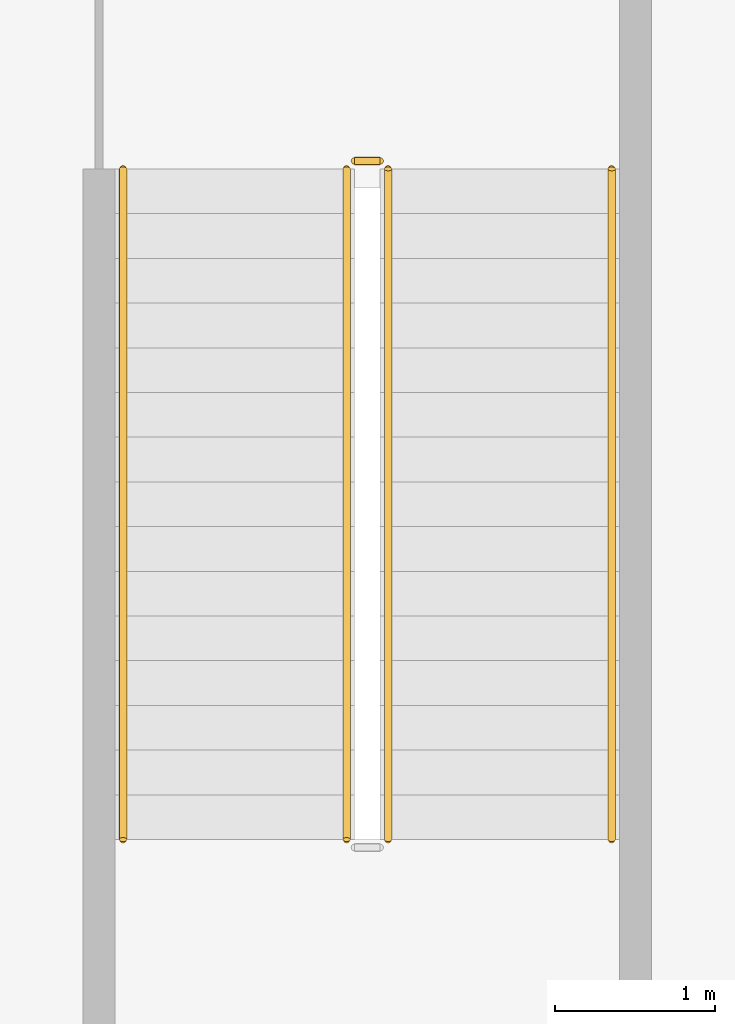
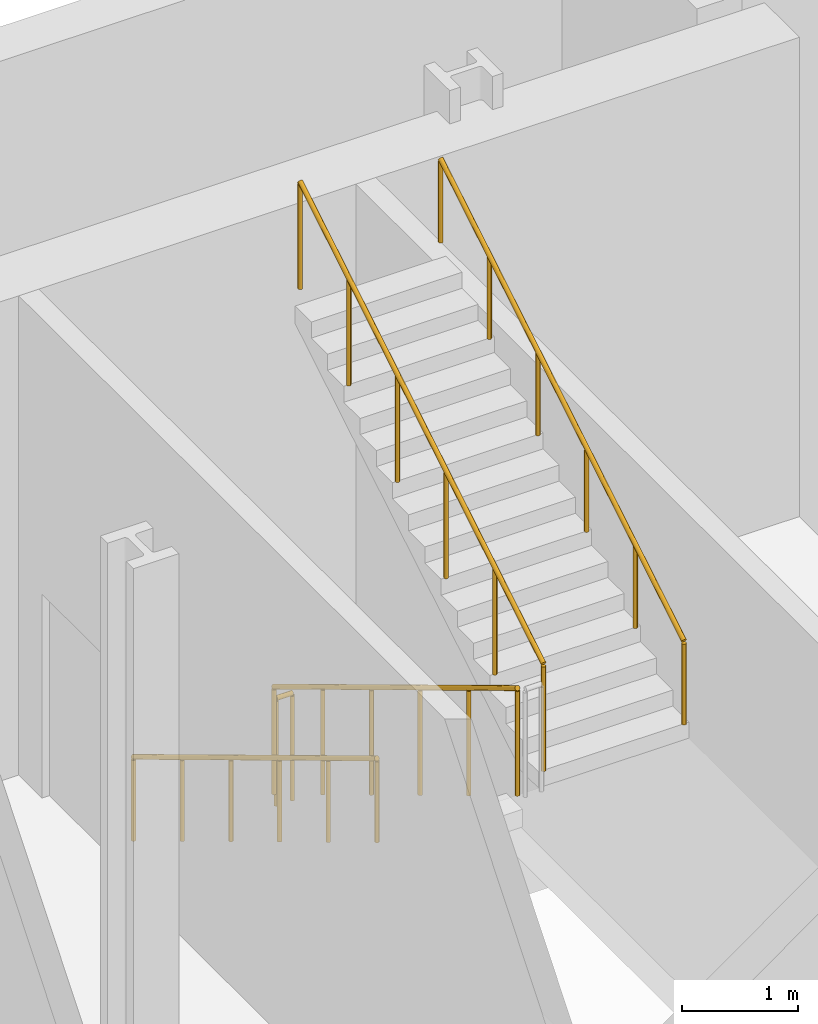
# One storey, part 9 of 9: 5 railings.
"""IFC4 building model written with IfcOpenShell, lengths in metres."""

from ifc_helpers import new_model, si_unit, direction, frame, origin, origin_2d, place, context, subcontext, project, spatial, circle, extrude, material, type_object, element, save


model = new_model("IFC4")

# Units and contexts
model_context = context("Model", 3, precision=1e-05, world=origin(), true_north=direction((0.0, 1.0)))
body_context = subcontext(model_context, "Body", "Model", "MODEL_VIEW")
ifc_project = project(units=[si_unit("LENGTHUNIT", "METRE"), si_unit("AREAUNIT", "SQUARE_METRE"), si_unit("VOLUMEUNIT", "CUBIC_METRE"), si_unit("PLANEANGLEUNIT", "RADIAN"), si_unit("MASSUNIT", "GRAM", prefix="KILO")], contexts=[model_context])

# Site, building, storey
site_placement = place(None, origin())
site = spatial("IfcSite", under=ifc_project, at=site_placement, CompositionType="ELEMENT")
building_placement = place(site_placement, origin())
building = spatial("IfcBuilding", under=site, at=building_placement, Name="Drelvath Grand Hotel", CompositionType="ELEMENT")
storey_placement = place(building_placement, frame((0.0, 0.0, -5.39990234375)))
storey = spatial("IfcBuildingStorey", under=building, at=storey_placement, Name="B1", CompositionType="ELEMENT", Elevation=-5.39990234375)

# Railings
ifc_material = material(Name="Painted Steel S275", Category="steel")
railing_type_1 = type_object("IfcRailingType", Name="Core Stair Wall Handrail 900", PredefinedType="HANDRAIL", material=ifc_material)
railing_1_placement = place(storey_placement, frame((28.469970703125, 51.85009765625, 0.168701171875)))
element("IfcRailing", 1, at=railing_1_placement, inside=storey, type_object=railing_type_1, Name="B1 ST-4 stair handrail 1", PredefinedType="HANDRAIL", context=body_context, shape_type="SweptSolid", body=[
    extrude(circle(Radius=0.02392578125, at=origin_2d()), frame((0.0, 0.0, 0.8759765625), z_axis=(0.0, -0.856489757249, 0.516164020179), x_axis=(1.0, 0.0, 0.0)), (0.0, 0.0, 1.0), 4.904052734375),
    extrude(circle(Radius=0.02099609375, at=origin_2d()), origin(), (0.0, 0.0, 1.0), 0.851806640625),
    extrude(circle(Radius=0.02099609375, at=origin_2d()), frame((0.0, -0.840087890625, 0.50634765625)), (0.0, 0.0, 1.0), 0.851806640625),
    extrude(circle(Radius=0.02099609375, at=origin_2d()), frame((0.0, -1.68017578125, 1.012451171875)), (0.0, 0.0, 1.0), 0.851806640625),
    extrude(circle(Radius=0.02099609375, at=origin_2d()), frame((0.0, -2.52001953125, 1.518798828125)), (0.0, 0.0, 1.0), 0.851806640625),
    extrude(circle(Radius=0.02099609375, at=origin_2d()), frame((0.0, -3.360107421875, 2.02490234375)), (0.0, 0.0, 1.0), 0.851806640625),
    extrude(circle(Radius=0.02099609375, at=origin_2d()), frame((0.0, -4.2001953125, 2.53125)), (0.0, 0.0, 1.0), 0.851806640625),
])
railing_2_placement = place(storey_placement, frame((31.530029296875, 47.64990234375, 2.86865234375)))
element("IfcRailing", 2, at=railing_2_placement, inside=storey, type_object=railing_type_1, Name="B1 ST-4 stair handrail 2", PredefinedType="HANDRAIL", context=body_context, shape_type="SweptSolid", body=[
    extrude(circle(Radius=0.02392578125, at=origin_2d()), frame((0.0, 0.0, 0.8759765625), z_axis=(0.0, 0.856489757249, 0.516164020179), x_axis=(-1.0, 0.0, 0.0)), (0.0, 0.0, 1.0), 4.904052734375),
    extrude(circle(Radius=0.02099609375, at=origin_2d()), origin(), (0.0, 0.0, 1.0), 0.851806640625),
    extrude(circle(Radius=0.02099609375, at=origin_2d()), frame((0.0, 0.840087890625, 0.50634765625)), (0.0, 0.0, 1.0), 0.851806640625),
    extrude(circle(Radius=0.02099609375, at=origin_2d()), frame((0.0, 1.68017578125, 1.012451171875)), (0.0, 0.0, 1.0), 0.851806640625),
    extrude(circle(Radius=0.02099609375, at=origin_2d()), frame((0.0, 2.52001953125, 1.518798828125)), (0.0, 0.0, 1.0), 0.851806640625),
    extrude(circle(Radius=0.02099609375, at=origin_2d()), frame((0.0, 3.360107421875, 2.02490234375)), (0.0, 0.0, 1.0), 0.851806640625),
    extrude(circle(Radius=0.02099609375, at=origin_2d()), frame((0.0, 4.2001953125, 2.53125)), (0.0, 0.0, 1.0), 0.851806640625),
])
railing_type_2 = type_object("IfcRailingType", Name="Core Stair Well Guardrail 1100", PredefinedType="GUARDRAIL", material=ifc_material)
railing_3_placement = place(storey_placement, frame((29.8701171875, 51.85009765625, 0.168701171875)))
element("IfcRailing", 3, at=railing_3_placement, inside=storey, type_object=railing_type_2, Name="B1 ST-4 stair guard 1", PredefinedType="GUARDRAIL", context=body_context, shape_type="SweptSolid", body=[
    extrude(circle(Radius=0.02392578125, at=origin_2d()), frame((0.0, 0.0, 1.1259765625), z_axis=(0.0, -0.856489757249, 0.516164020179), x_axis=(1.0, 0.0, 0.0)), (0.0, 0.0, 1.0), 4.904052734375),
    extrude(circle(Radius=0.02099609375, at=origin_2d()), origin(), (0.0, 0.0, 1.0), 1.101806640625),
    extrude(circle(Radius=0.02099609375, at=origin_2d()), frame((0.0, -0.840087890625, 0.50634765625)), (0.0, 0.0, 1.0), 1.101806640625),
    extrude(circle(Radius=0.02099609375, at=origin_2d()), frame((0.0, -1.68017578125, 1.012451171875)), (0.0, 0.0, 1.0), 1.101806640625),
    extrude(circle(Radius=0.02099609375, at=origin_2d()), frame((0.0, -2.52001953125, 1.518798828125)), (0.0, 0.0, 1.0), 1.101806640625),
    extrude(circle(Radius=0.02099609375, at=origin_2d()), frame((0.0, -3.360107421875, 2.02490234375)), (0.0, 0.0, 1.0), 1.101806640625),
    extrude(circle(Radius=0.02099609375, at=origin_2d()), frame((0.0, -4.2001953125, 2.53125)), (0.0, 0.0, 1.0), 1.101806640625),
])
railing_4_placement = place(storey_placement, frame((30.1298828125, 47.64990234375, 2.86865234375)))
element("IfcRailing", 4, at=railing_4_placement, inside=storey, type_object=railing_type_2, Name="B1 ST-4 stair guard 3", PredefinedType="GUARDRAIL", context=body_context, shape_type="SweptSolid", body=[
    extrude(circle(Radius=0.02392578125, at=origin_2d()), frame((0.0, 0.0, 1.1259765625), z_axis=(0.0, 0.856489757249, 0.516164020179), x_axis=(-1.0, 0.0, 0.0)), (0.0, 0.0, 1.0), 4.904052734375),
    extrude(circle(Radius=0.02099609375, at=origin_2d()), origin(), (0.0, 0.0, 1.0), 1.101806640625),
    extrude(circle(Radius=0.02099609375, at=origin_2d()), frame((0.0, 0.840087890625, 0.50634765625)), (0.0, 0.0, 1.0), 1.101806640625),
    extrude(circle(Radius=0.02099609375, at=origin_2d()), frame((0.0, 1.68017578125, 1.012451171875)), (0.0, 0.0, 1.0), 1.101806640625),
    extrude(circle(Radius=0.02099609375, at=origin_2d()), frame((0.0, 2.52001953125, 1.518798828125)), (0.0, 0.0, 1.0), 1.101806640625),
    extrude(circle(Radius=0.02099609375, at=origin_2d()), frame((0.0, 3.360107421875, 2.02490234375)), (0.0, 0.0, 1.0), 1.101806640625),
    extrude(circle(Radius=0.02099609375, at=origin_2d()), frame((0.0, 4.2001953125, 2.53125)), (0.0, 0.0, 1.0), 1.101806640625),
])
railing_5_placement = place(storey_placement, frame((29.919921875, 51.89990234375, 0.0)))
element("IfcRailing", 5, at=railing_5_placement, inside=storey, type_object=railing_type_2, Name="B1 ST-4 stair guard 4", PredefinedType="GUARDRAIL", context=body_context, shape_type="SweptSolid", body=[
    extrude(circle(Radius=0.02392578125, at=origin_2d()), frame((0.0, 0.0, 1.1259765625), z_axis=(1.0, 0.0, 0.0), x_axis=(0.0, 1.0, 0.0)), (0.0, 0.0, 1.0), 0.16015625),
    extrude(circle(Radius=0.02099609375, at=origin_2d()), origin(), (0.0, 0.0, 1.0), 1.101806640625),
    extrude(circle(Radius=0.02099609375, at=origin_2d()), frame((0.16015625, 0.0, 0.0)), (0.0, 0.0, 1.0), 1.101806640625),
])

save(model, "model.ifc")
